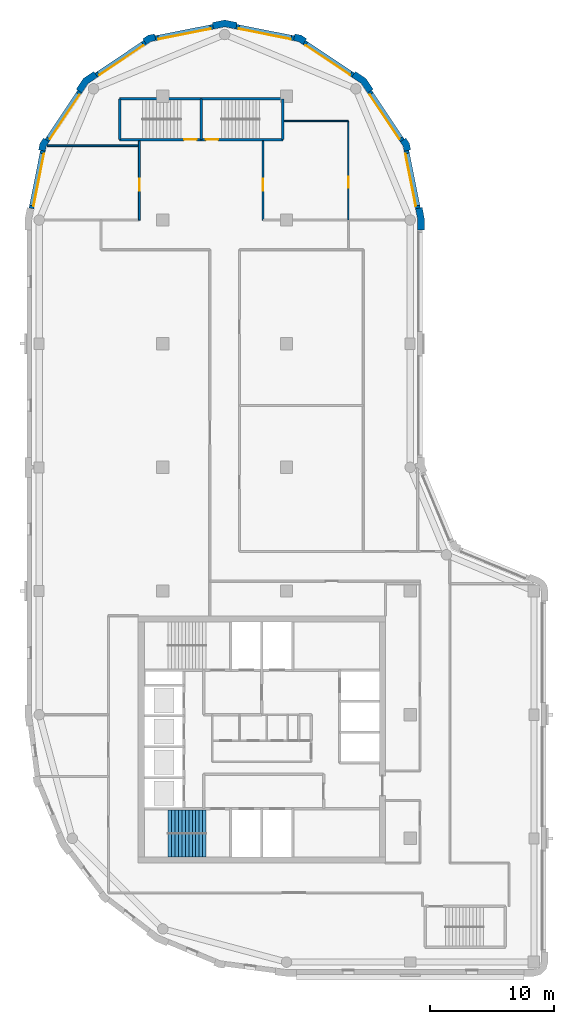
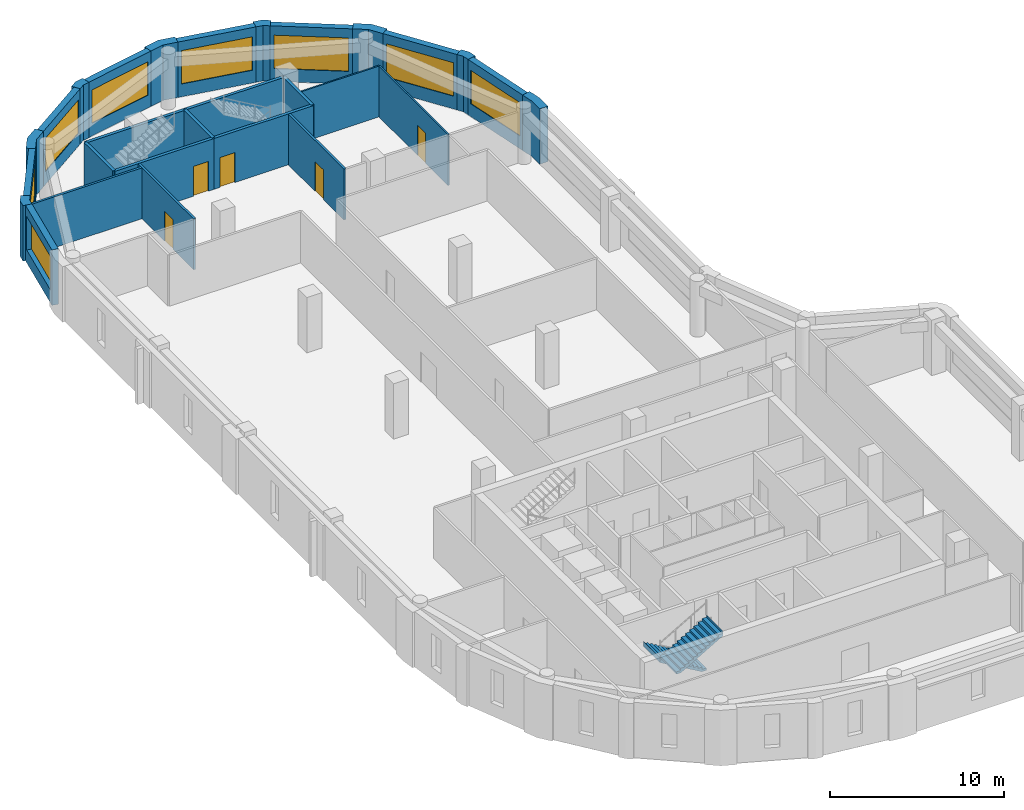
# One storey, part 5 of 8: 28 walls, 8 windows, 5 doors, 2 stair flights, 13 openings, 1 element without a shape of its own.
"""IFC4 building model written with IfcOpenShell, lengths in metres."""

from ifc_helpers import new_model, si_unit, direction, frame, frame_2d, origin, place, context, subcontext, project, spatial, polyline, rectangle, outline, extrude, material, layer, layer_set, type_object, element, fill, aggregate, save


model = new_model("IFC4")

# Units and contexts
model_context = context("Model", 3, precision=1e-05, world=origin(), true_north=direction((0.0, 1.0)))
body_context = subcontext(model_context, "Body", "Model", "MODEL_VIEW")
ifc_project = project(units=[si_unit("LENGTHUNIT", "METRE"), si_unit("AREAUNIT", "SQUARE_METRE"), si_unit("VOLUMEUNIT", "CUBIC_METRE"), si_unit("PLANEANGLEUNIT", "RADIAN"), si_unit("MASSUNIT", "GRAM", prefix="KILO")], contexts=[model_context])

# Site, building, storey
site_placement = place(None, origin())
site = spatial("IfcSite", under=ifc_project, at=site_placement, CompositionType="ELEMENT")
building_placement = place(site_placement, origin())
building = spatial("IfcBuilding", under=site, at=building_placement, Name="Qaws Garden Tower", CompositionType="ELEMENT")
storey_placement = place(building_placement, frame((0.0, 0.0, 345.0)))
storey = spatial("IfcBuildingStorey", under=building, at=storey_placement, Name="L84", CompositionType="ELEMENT", Elevation=345.0)

# Wall, opening, window
ifc_material_1 = material(Name="Clay facing brick masonry", Category="masonry")
ifc_layer_1 = layer(ifc_material_1, 0.39990234375)
ifc_layer_set_1 = layer_set([ifc_layer_1], Name="Clay facing brick masonry")
wall_type_1 = type_object("IfcWallType", Name="Brick infill wall 400", PredefinedType="SOLIDWALL", material=ifc_layer_set_1)
wall_1_placement = place(storey_placement, frame((30.628662109375, 60.940673828125, 0.0), z_axis=(0.0, 0.0, 1.0), x_axis=(-0.195098533057, 0.98078364709, 0.0)))
wall_1 = element("IfcWall", 1, at=wall_1_placement, inside=storey, type_object=wall_type_1, Name="E-L84-infill-09", PredefinedType="SOLIDWALL", context=body_context, shape_type="SweptSolid", body=[
    extrude(rectangle(XDim=4.752685546875, YDim=0.39990234375, at=frame_2d((2.37646484375, 0.0))), origin(), (0.0, 0.0, 1.0), 3.89990234375),
])
opening_1_placement = place(wall_1_placement, frame((0.226318359375, 0.0, 0.89990234375)))
opening_1 = element("IfcOpeningElement", 2, at=opening_1_placement, cuts=wall_1, Name="Opening W06", PredefinedType="OPENING", context=body_context, shape_type="SweptSolid", body=[
    extrude(rectangle(XDim=4.300048828125, YDim=2.35009765625, at=frame_2d((2.14990234375, 1.175048828125))), frame((0.0, 0.2099609375, 0.0), z_axis=(0.0, -1.0, 0.0), x_axis=(1.0, 0.0, 0.0)), (0.0, 0.0, 1.0), 0.419921875),
])
ifc_material_2 = material(Name="Aluminium framed window, clear glazing", Category="aluminium")
window_type = type_object("IfcWindowType", Name="Ribbon window 4300 x 2350", PartitioningType="DOUBLE_PANEL_VERTICAL", PredefinedType="WINDOW", material=ifc_material_2)
window_1_placement = place(opening_1_placement, origin())
window_1 = element("IfcWindow", 3, at=window_1_placement, inside=storey, type_object=window_type, Name="E-L84-window-09-0", OverallHeight=2.35009765625, OverallWidth=4.300048828125, PartitioningType="SINGLE_PANEL", PredefinedType="WINDOW", context=body_context, shape_type="SweptSolid", body=[
    extrude(rectangle(XDim=4.300048828125, YDim=2.35009765625, at=frame_2d((2.14990234375, 1.175048828125))), frame((0.0, 0.159912109375, 0.0), z_axis=(0.0, -1.0, 0.0), x_axis=(1.0, 0.0, 0.0)), (0.0, 0.0, 1.0), 0.06005859375),
])
fill(opening_1, window_1)

wall_2_placement = place(storey_placement, frame((29.356689453125, 66.43408203125, 0.0), z_axis=(0.0, 0.0, 1.0), x_axis=(-0.555541552266, 0.831488775454, 0.0)))
wall_2 = element("IfcWall", 4, at=wall_2_placement, inside=storey, type_object=wall_type_1, Name="E-L84-infill-10", PredefinedType="SOLIDWALL", context=body_context, shape_type="SweptSolid", body=[
    extrude(rectangle(XDim=4.752685546875, YDim=0.39990234375, at=frame_2d((2.37646484375, 0.0))), origin(), (0.0, 0.0, 1.0), 3.89990234375),
])
opening_2_placement = place(wall_2_placement, frame((0.226318359375, 0.0, 0.89990234375)))
opening_2 = element("IfcOpeningElement", 5, at=opening_2_placement, cuts=wall_2, Name="Opening W06", PredefinedType="OPENING", context=body_context, shape_type="SweptSolid", body=[
    extrude(rectangle(XDim=4.300048828125, YDim=2.35009765625, at=frame_2d((2.14990234375, 1.175048828125))), frame((0.0, 0.2099609375, 0.0), z_axis=(0.0, -1.0, 0.0), x_axis=(1.0, 0.0, 0.0)), (0.0, 0.0, 1.0), 0.419921875),
])
window_2_placement = place(opening_2_placement, origin())
window_2 = element("IfcWindow", 6, at=window_2_placement, inside=storey, type_object=window_type, Name="E-L84-window-10-0", OverallHeight=2.35009765625, OverallWidth=4.300048828125, PartitioningType="SINGLE_PANEL", PredefinedType="WINDOW", context=body_context, shape_type="SweptSolid", body=[
    extrude(rectangle(XDim=4.300048828125, YDim=2.35009765625, at=frame_2d((2.14990234375, 1.175048828125))), frame((0.0, 0.159912109375, 0.0), z_axis=(0.0, -1.0, 0.0), x_axis=(1.0, 0.0, 0.0)), (0.0, 0.0, 1.0), 0.06005859375),
])
fill(opening_2, window_2)

wall_3_placement = place(storey_placement, frame((25.385986328125, 71.71630859375, 0.0), z_axis=(0.0, 0.0, 1.0), x_axis=(-0.831488775454, 0.555541552266, 0.0)))
wall_3 = element("IfcWall", 7, at=wall_3_placement, inside=storey, type_object=wall_type_1, Name="E-L84-infill-11", PredefinedType="SOLIDWALL", context=body_context, shape_type="SweptSolid", body=[
    extrude(rectangle(XDim=4.752685546875, YDim=0.39990234375, at=frame_2d((2.37646484375, 0.0))), origin(), (0.0, 0.0, 1.0), 3.89990234375),
])
opening_3_placement = place(wall_3_placement, frame((0.226318359375, 0.0, 0.89990234375)))
opening_3 = element("IfcOpeningElement", 8, at=opening_3_placement, cuts=wall_3, Name="Opening W06", PredefinedType="OPENING", context=body_context, shape_type="SweptSolid", body=[
    extrude(rectangle(XDim=4.300048828125, YDim=2.35009765625, at=frame_2d((2.14990234375, 1.175048828125))), frame((0.0, 0.2099609375, 0.0), z_axis=(0.0, -1.0, 0.0), x_axis=(1.0, 0.0, 0.0)), (0.0, 0.0, 1.0), 0.419921875),
])
window_3_placement = place(opening_3_placement, origin())
window_3 = element("IfcWindow", 9, at=window_3_placement, inside=storey, type_object=window_type, Name="E-L84-window-11-0", OverallHeight=2.35009765625, OverallWidth=4.300048828125, PartitioningType="SINGLE_PANEL", PredefinedType="WINDOW", context=body_context, shape_type="SweptSolid", body=[
    extrude(rectangle(XDim=4.300048828125, YDim=2.35009765625, at=frame_2d((2.14990234375, 1.175048828125))), frame((0.0, 0.159912109375, 0.0), z_axis=(0.0, -1.0, 0.0), x_axis=(1.0, 0.0, 0.0)), (0.0, 0.0, 1.0), 0.06005859375),
])
fill(opening_3, window_3)

wall_4_placement = place(storey_placement, frame((20.60205078125, 74.701416015625, 0.0), z_axis=(0.0, 0.0, 1.0), x_axis=(-0.98078364709, 0.195098533057, 0.0)))
wall_4 = element("IfcWall", 10, at=wall_4_placement, inside=storey, type_object=wall_type_1, Name="E-L84-infill-12", PredefinedType="SOLIDWALL", context=body_context, shape_type="SweptSolid", body=[
    extrude(rectangle(XDim=4.752685546875, YDim=0.39990234375, at=frame_2d((2.37646484375, 0.0))), origin(), (0.0, 0.0, 1.0), 3.89990234375),
])
opening_4_placement = place(wall_4_placement, frame((0.226318359375, 0.0, 0.89990234375)))
opening_4 = element("IfcOpeningElement", 11, at=opening_4_placement, cuts=wall_4, Name="Opening W06", PredefinedType="OPENING", context=body_context, shape_type="SweptSolid", body=[
    extrude(rectangle(XDim=4.300048828125, YDim=2.35009765625, at=frame_2d((2.14990234375, 1.175048828125))), frame((0.0, 0.2099609375, 0.0), z_axis=(0.0, -1.0, 0.0), x_axis=(1.0, 0.0, 0.0)), (0.0, 0.0, 1.0), 0.419921875),
])
window_4_placement = place(opening_4_placement, origin())
window_4 = element("IfcWindow", 12, at=window_4_placement, inside=storey, type_object=window_type, Name="E-L84-window-12-0", OverallHeight=2.35009765625, OverallWidth=4.300048828125, PartitioningType="SINGLE_PANEL", PredefinedType="WINDOW", context=body_context, shape_type="SweptSolid", body=[
    extrude(rectangle(XDim=4.300048828125, YDim=2.35009765625, at=frame_2d((2.14990234375, 1.175048828125))), frame((0.0, 0.159912109375, 0.0), z_axis=(0.0, -1.0, 0.0), x_axis=(1.0, 0.0, 0.0)), (0.0, 0.0, 1.0), 0.06005859375),
])
fill(opening_4, window_4)

wall_5_placement = place(storey_placement, frame((14.059326171875, 75.628662109375, 0.0), z_axis=(0.0, 0.0, 1.0), x_axis=(-0.98078364709, -0.195098533057, 0.0)))
wall_5 = element("IfcWall", 13, at=wall_5_placement, inside=storey, type_object=wall_type_1, Name="E-L84-infill-13", PredefinedType="SOLIDWALL", context=body_context, shape_type="SweptSolid", body=[
    extrude(rectangle(XDim=4.752685546875, YDim=0.39990234375, at=frame_2d((2.37646484375, 0.0))), origin(), (0.0, 0.0, 1.0), 3.89990234375),
])
opening_5_placement = place(wall_5_placement, frame((0.226318359375, 0.0, 0.89990234375)))
opening_5 = element("IfcOpeningElement", 14, at=opening_5_placement, cuts=wall_5, Name="Opening W06", PredefinedType="OPENING", context=body_context, shape_type="SweptSolid", body=[
    extrude(rectangle(XDim=4.300048828125, YDim=2.35009765625, at=frame_2d((2.14990234375, 1.175048828125))), frame((0.0, 0.2099609375, 0.0), z_axis=(0.0, -1.0, 0.0), x_axis=(1.0, 0.0, 0.0)), (0.0, 0.0, 1.0), 0.419921875),
])
window_5_placement = place(opening_5_placement, origin())
window_5 = element("IfcWindow", 15, at=window_5_placement, inside=storey, type_object=window_type, Name="E-L84-window-13-0", OverallHeight=2.35009765625, OverallWidth=4.300048828125, PartitioningType="SINGLE_PANEL", PredefinedType="WINDOW", context=body_context, shape_type="SweptSolid", body=[
    extrude(rectangle(XDim=4.300048828125, YDim=2.35009765625, at=frame_2d((2.14990234375, 1.175048828125))), frame((0.0, 0.159912109375, 0.0), z_axis=(0.0, -1.0, 0.0), x_axis=(1.0, 0.0, 0.0)), (0.0, 0.0, 1.0), 0.06005859375),
])
fill(opening_5, window_5)

wall_6_placement = place(storey_placement, frame((8.56591796875, 74.356689453125, 0.0), z_axis=(0.0, 0.0, 1.0), x_axis=(-0.831488775454, -0.555541552266, 0.0)))
wall_6 = element("IfcWall", 16, at=wall_6_placement, inside=storey, type_object=wall_type_1, Name="E-L84-infill-14", PredefinedType="SOLIDWALL", context=body_context, shape_type="SweptSolid", body=[
    extrude(rectangle(XDim=4.752685546875, YDim=0.39990234375, at=frame_2d((2.37646484375, 0.0))), origin(), (0.0, 0.0, 1.0), 3.89990234375),
])
opening_6_placement = place(wall_6_placement, frame((0.226318359375, 0.0, 0.89990234375)))
opening_6 = element("IfcOpeningElement", 17, at=opening_6_placement, cuts=wall_6, Name="Opening W06", PredefinedType="OPENING", context=body_context, shape_type="SweptSolid", body=[
    extrude(rectangle(XDim=4.300048828125, YDim=2.35009765625, at=frame_2d((2.14990234375, 1.175048828125))), frame((0.0, 0.2099609375, 0.0), z_axis=(0.0, -1.0, 0.0), x_axis=(1.0, 0.0, 0.0)), (0.0, 0.0, 1.0), 0.419921875),
])
window_6_placement = place(opening_6_placement, origin())
window_6 = element("IfcWindow", 18, at=window_6_placement, inside=storey, type_object=window_type, Name="E-L84-window-14-0", OverallHeight=2.35009765625, OverallWidth=4.300048828125, PartitioningType="SINGLE_PANEL", PredefinedType="WINDOW", context=body_context, shape_type="SweptSolid", body=[
    extrude(rectangle(XDim=4.300048828125, YDim=2.35009765625, at=frame_2d((2.14990234375, 1.175048828125))), frame((0.0, 0.159912109375, 0.0), z_axis=(0.0, -1.0, 0.0), x_axis=(1.0, 0.0, 0.0)), (0.0, 0.0, 1.0), 0.06005859375),
])
fill(opening_6, window_6)

wall_7_placement = place(storey_placement, frame((3.28369140625, 70.385986328125, 0.0), z_axis=(0.0, 0.0, 1.0), x_axis=(-0.555541552266, -0.831488775454, 0.0)))
wall_7 = element("IfcWall", 19, at=wall_7_placement, inside=storey, type_object=wall_type_1, Name="E-L84-infill-15", PredefinedType="SOLIDWALL", context=body_context, shape_type="SweptSolid", body=[
    extrude(rectangle(XDim=4.752685546875, YDim=0.39990234375, at=frame_2d((2.37646484375, 0.0))), origin(), (0.0, 0.0, 1.0), 3.89990234375),
])
opening_7_placement = place(wall_7_placement, frame((0.226318359375, 0.0, 0.89990234375)))
opening_7 = element("IfcOpeningElement", 20, at=opening_7_placement, cuts=wall_7, Name="Opening W06", PredefinedType="OPENING", context=body_context, shape_type="SweptSolid", body=[
    extrude(rectangle(XDim=4.300048828125, YDim=2.35009765625, at=frame_2d((2.14990234375, 1.175048828125))), frame((0.0, 0.2099609375, 0.0), z_axis=(0.0, -1.0, 0.0), x_axis=(1.0, 0.0, 0.0)), (0.0, 0.0, 1.0), 0.419921875),
])
window_7_placement = place(opening_7_placement, origin())
window_7 = element("IfcWindow", 21, at=window_7_placement, inside=storey, type_object=window_type, Name="E-L84-window-15-0", OverallHeight=2.35009765625, OverallWidth=4.300048828125, PartitioningType="SINGLE_PANEL", PredefinedType="WINDOW", context=body_context, shape_type="SweptSolid", body=[
    extrude(rectangle(XDim=4.300048828125, YDim=2.35009765625, at=frame_2d((2.14990234375, 1.175048828125))), frame((0.0, 0.159912109375, 0.0), z_axis=(0.0, -1.0, 0.0), x_axis=(1.0, 0.0, 0.0)), (0.0, 0.0, 1.0), 0.06005859375),
])
fill(opening_7, window_7)

wall_8_placement = place(storey_placement, frame((0.298583984375, 65.60205078125, 0.0), z_axis=(0.0, 0.0, 1.0), x_axis=(-0.195098533057, -0.98078364709, 0.0)))
wall_8 = element("IfcWall", 22, at=wall_8_placement, inside=storey, type_object=wall_type_1, Name="E-L84-infill-16", PredefinedType="SOLIDWALL", context=body_context, shape_type="SweptSolid", body=[
    extrude(rectangle(XDim=4.752685546875, YDim=0.39990234375, at=frame_2d((2.37646484375, 0.0))), origin(), (0.0, 0.0, 1.0), 3.89990234375),
])
opening_8_placement = place(wall_8_placement, frame((0.226318359375, 0.0, 0.89990234375)))
opening_8 = element("IfcOpeningElement", 23, at=opening_8_placement, cuts=wall_8, Name="Opening W06", PredefinedType="OPENING", context=body_context, shape_type="SweptSolid", body=[
    extrude(rectangle(XDim=4.300048828125, YDim=2.35009765625, at=frame_2d((2.14990234375, 1.175048828125))), frame((0.0, 0.2099609375, 0.0), z_axis=(0.0, -1.0, 0.0), x_axis=(1.0, 0.0, 0.0)), (0.0, 0.0, 1.0), 0.419921875),
])
window_8_placement = place(opening_8_placement, origin())
window_8 = element("IfcWindow", 24, at=window_8_placement, inside=storey, type_object=window_type, Name="E-L84-window-16-0", OverallHeight=2.35009765625, OverallWidth=4.300048828125, PartitioningType="SINGLE_PANEL", PredefinedType="WINDOW", context=body_context, shape_type="SweptSolid", body=[
    extrude(rectangle(XDim=4.300048828125, YDim=2.35009765625, at=frame_2d((2.14990234375, 1.175048828125))), frame((0.0, 0.159912109375, 0.0), z_axis=(0.0, -1.0, 0.0), x_axis=(1.0, 0.0, 0.0)), (0.0, 0.0, 1.0), 0.06005859375),
])
fill(opening_8, window_8)

# Walls
ifc_material_3 = material(Name="Clay facing brick masonry", Category="masonry")
ifc_layer_2 = layer(ifc_material_3, 0.550048828125)
ifc_layer_set_2 = layer_set([ifc_layer_2], Name="Clay facing brick masonry")
wall_type_2 = type_object("IfcWallType", Name="Brick kink pier 550 x 600", PredefinedType="SOLIDWALL", material=ifc_layer_set_2)
placement = place(storey_placement, origin())
element("IfcWall", 25, at=placement, inside=storey, type_object=wall_type_2, Name="E-L84-pier-10", PredefinedType="SOLIDWALL", context=body_context, shape_type="SweptSolid", body=[
    extrude(outline(polyline([(29.8974609375, 65.64111328125), (30.044677734375, 65.67041015625), (29.94140625, 66.18896484375), (29.647705078125, 66.628662109375), (29.52294921875, 66.545166015625), (29.1904296875, 66.322998046875), (29.42333984375, 65.974365234375), (29.505126953125, 65.56298828125), (29.8974609375, 65.64111328125)])), origin(), (0.0, 0.0, 1.0), 3.89990234375),
])
element("IfcWall", 26, at=placement, inside=storey, type_object=wall_type_2, Name="E-L84-pier-12", PredefinedType="SOLIDWALL", context=body_context, shape_type="SweptSolid", body=[
    extrude(outline(polyline([(21.545166015625, 74.52294921875), (21.628662109375, 74.647705078125), (21.18896484375, 74.94140625), (20.67041015625, 75.044677734375), (20.64111328125, 74.8974609375), (20.56298828125, 74.505126953125), (20.974365234375, 74.42333984375), (21.322998046875, 74.1904296875), (21.545166015625, 74.52294921875)])), origin(), (0.0, 0.0, 1.0), 3.89990234375),
])
element("IfcWall", 27, at=placement, inside=storey, type_object=wall_type_2, Name="E-L84-pier-14", PredefinedType="SOLIDWALL", context=body_context, shape_type="SweptSolid", body=[
    extrude(outline(polyline([(9.35888671875, 74.8974609375), (9.32958984375, 75.044677734375), (8.81103515625, 74.94140625), (8.371337890625, 74.647705078125), (8.454833984375, 74.52294921875), (8.677001953125, 74.1904296875), (9.025634765625, 74.42333984375), (9.43701171875, 74.505126953125), (9.35888671875, 74.8974609375)])), origin(), (0.0, 0.0, 1.0), 3.89990234375),
])
element("IfcWall", 28, at=placement, inside=storey, type_object=wall_type_2, Name="E-L84-pier-16", PredefinedType="SOLIDWALL", context=body_context, shape_type="SweptSolid", body=[
    extrude(outline(polyline([(0.47705078125, 66.545166015625), (0.352294921875, 66.628662109375), (0.05859375, 66.18896484375), (-0.044677734375, 65.67041015625), (0.1025390625, 65.64111328125), (0.494873046875, 65.56298828125), (0.57666015625, 65.974365234375), (0.8095703125, 66.322998046875), (0.47705078125, 66.545166015625)])), origin(), (0.0, 0.0, 1.0), 3.89990234375),
])
ifc_material_4 = material(Name="Clay facing brick masonry", Category="masonry")
ifc_layer_3 = layer(ifc_material_4, 0.550048828125)
ifc_layer_set_3 = layer_set([ifc_layer_3], Name="Clay facing brick masonry")
wall_type_3 = type_object("IfcWallType", Name="Brick pier 550 x 1600", PredefinedType="SOLIDWALL", material=ifc_layer_set_3)
element("IfcWall", 29, at=placement, inside=storey, type_object=wall_type_3, Name="E-L84-pier-09", PredefinedType="SOLIDWALL", context=body_context, shape_type="SweptSolid", body=[
    extrude(outline(polyline([(31.0, 59.199951171875), (31.14990234375, 59.199951171875), (31.14990234375, 60.11328125), (30.971923828125, 61.009033203125), (30.82470703125, 60.979736328125), (30.432373046875, 60.901611328125), (30.60009765625, 60.05908203125), (30.60009765625, 59.199951171875), (31.0, 59.199951171875)])), origin(), (0.0, 0.0, 1.0), 3.89990234375),
])
element("IfcWall", 30, at=placement, inside=storey, type_object=wall_type_3, Name="E-L84-pier-11", PredefinedType="SOLIDWALL", context=body_context, shape_type="SweptSolid", body=[
    extrude(outline(polyline([(26.882568359375, 70.4970703125), (27.00732421875, 70.580322265625), (26.435791015625, 71.435791015625), (25.580322265625, 72.00732421875), (25.4970703125, 71.882568359375), (25.274658203125, 71.550048828125), (26.0390625, 71.0390625), (26.550048828125, 70.274658203125), (26.882568359375, 70.4970703125)])), origin(), (0.0, 0.0, 1.0), 3.89990234375),
])
element("IfcWall", 31, at=placement, inside=storey, type_object=wall_type_3, Name="E-L84-pier-13", PredefinedType="SOLIDWALL", context=body_context, shape_type="SweptSolid", body=[
    extrude(outline(polyline([(15.979736328125, 75.82470703125), (16.009033203125, 75.971923828125), (15.0, 76.172607421875), (13.990966796875, 75.971923828125), (14.020263671875, 75.82470703125), (14.098388671875, 75.432373046875), (15.0, 75.61181640625), (15.901611328125, 75.432373046875), (15.979736328125, 75.82470703125)])), origin(), (0.0, 0.0, 1.0), 3.89990234375),
])
element("IfcWall", 32, at=placement, inside=storey, type_object=wall_type_3, Name="E-L84-pier-15", PredefinedType="SOLIDWALL", context=body_context, shape_type="SweptSolid", body=[
    extrude(outline(polyline([(4.5029296875, 71.882568359375), (4.419677734375, 72.00732421875), (3.564208984375, 71.435791015625), (2.99267578125, 70.580322265625), (3.117431640625, 70.4970703125), (3.449951171875, 70.274658203125), (3.9609375, 71.0390625), (4.725341796875, 71.550048828125), (4.5029296875, 71.882568359375)])), origin(), (0.0, 0.0, 1.0), 3.89990234375),
])

# Wall, opening, door
ifc_material_5 = material(Name="Concrete C60", Category="concrete")
ifc_layer_4 = layer(ifc_material_5, 0.199951171875)
ifc_layer_set_4 = layer_set([ifc_layer_4], Name="Concrete C60")
wall_type_4 = type_object("IfcWallType", Name="Core shaft wall 200 C60", PredefinedType="SHEAR", material=ifc_layer_set_4)
wall_17_placement = place(storey_placement, frame((6.5, 66.5, 0.0), z_axis=(0.0, 0.0, 1.0), x_axis=(1.0, 0.0, 0.0)))
wall_17 = element("IfcWall", 33, at=wall_17_placement, inside=storey, type_object=wall_type_4, Name="Shaft wall", PredefinedType="SHEAR", context=body_context, shape_type="SweptSolid", body=[
    extrude(rectangle(XDim=6.60009765625, YDim=0.199951171875, at=frame_2d((3.300048828125, 0.0))), origin(), (0.0, 0.0, 1.0), 3.580078125),
])
opening_9_placement = place(wall_17_placement, frame((5.22509765625, 0.0, 0.0)))
opening_9 = element("IfcOpeningElement", 34, at=opening_9_placement, cuts=wall_17, Name="Opening SD13", PredefinedType="OPENING", context=body_context, shape_type="SweptSolid", body=[
    extrude(rectangle(XDim=1.0, YDim=2.10009765625, at=frame_2d((0.5, 1.050048828125))), frame((0.0, 0.10986328125, 0.0), z_axis=(0.0, -1.0, 0.0), x_axis=(1.0, 0.0, 0.0)), (0.0, 0.0, 1.0), 0.219970703125),
])
ifc_material_6 = material(Name="Steel S235", Category="steel")
door_type_1 = type_object("IfcDoorType", Name="Stair door 1000x2100", OperationType="SINGLE_SWING_RIGHT", PredefinedType="DOOR", material=ifc_material_6)
door_1_placement = place(opening_9_placement, origin())
door_1 = element("IfcDoor", 35, at=door_1_placement, inside=storey, type_object=door_type_1, Name="Stair 6 door", OperationType="SINGLE_SWING_RIGHT", OverallHeight=2.10009765625, OverallWidth=1.0, PredefinedType="DOOR", context=body_context, shape_type="SweptSolid", body=[
    extrude(rectangle(XDim=1.0, YDim=2.10009765625, at=frame_2d((0.5, 1.050048828125))), frame((0.0, 0.02490234375, 0.0), z_axis=(0.0, -1.0, 0.0), x_axis=(1.0, 0.0, 0.0)), (0.0, 0.0, 1.0), 0.050048828125),
])
fill(opening_9, door_1)

wall_18_placement = place(storey_placement, frame((13.10009765625, 66.5, 0.0), z_axis=(0.0, 0.0, 1.0), x_axis=(1.0, 0.0, 0.0)))
wall_18 = element("IfcWall", 36, at=wall_18_placement, inside=storey, type_object=wall_type_4, Name="Shaft wall", PredefinedType="SHEAR", context=body_context, shape_type="SweptSolid", body=[
    extrude(rectangle(XDim=6.599853515625, YDim=0.199951171875, at=frame_2d((3.2998046875, 0.0))), origin(), (0.0, 0.0, 1.0), 3.580078125),
])
opening_10_placement = place(wall_18_placement, frame((0.375, 0.0, 0.0)))
opening_10 = element("IfcOpeningElement", 37, at=opening_10_placement, cuts=wall_18, Name="Opening SD14", PredefinedType="OPENING", context=body_context, shape_type="SweptSolid", body=[
    extrude(rectangle(XDim=1.0, YDim=2.10009765625, at=frame_2d((0.5, 1.050048828125))), frame((0.0, 0.10986328125, 0.0), z_axis=(0.0, -1.0, 0.0), x_axis=(1.0, 0.0, 0.0)), (0.0, 0.0, 1.0), 0.219970703125),
])
door_2_placement = place(opening_10_placement, origin())
door_2 = element("IfcDoor", 38, at=door_2_placement, inside=storey, type_object=door_type_1, Name="Stair 7 door", OperationType="SINGLE_SWING_LEFT", OverallHeight=2.10009765625, OverallWidth=1.0, PredefinedType="DOOR", context=body_context, shape_type="SweptSolid", body=[
    extrude(rectangle(XDim=1.0, YDim=2.10009765625, at=frame_2d((0.5, 1.050048828125))), frame((0.0, 0.02490234375, 0.0), z_axis=(0.0, -1.0, 0.0), x_axis=(1.0, 0.0, 0.0)), (0.0, 0.0, 1.0), 0.050048828125),
])
fill(opening_10, door_2)

# Walls
wall_19_placement = place(storey_placement, frame((6.5, 69.800048828125, 0.0), z_axis=(0.0, 0.0, 1.0), x_axis=(1.0, 0.0, 0.0)))
element("IfcWall", 39, at=wall_19_placement, inside=storey, type_object=wall_type_4, Name="Shaft wall", PredefinedType="SHEAR", context=body_context, shape_type="SweptSolid", body=[
    extrude(rectangle(XDim=6.60009765625, YDim=0.199951171875, at=frame_2d((3.300048828125, 0.0))), origin(), (0.0, 0.0, 1.0), 3.580078125),
])
wall_20_placement = place(storey_placement, frame((13.10009765625, 69.800048828125, 0.0), z_axis=(0.0, 0.0, 1.0), x_axis=(1.0, 0.0, 0.0)))
element("IfcWall", 40, at=wall_20_placement, inside=storey, type_object=wall_type_4, Name="Shaft wall", PredefinedType="SHEAR", context=body_context, shape_type="SweptSolid", body=[
    extrude(rectangle(XDim=6.599853515625, YDim=0.199951171875, at=frame_2d((3.2998046875, 0.0))), origin(), (0.0, 0.0, 1.0), 3.580078125),
])
for number, where, z_axis, x_axis, name in (
    (41, (6.5, 66.5, 0.0), (0.0, 0.0, 1.0), (0.0, 1.0, 0.0), "Shaft wall"),
    (42, (13.10009765625, 66.5, 0.0), (0.0, 0.0, 1.0), (0.0, 1.0, 0.0), "Shaft wall"),
    (43, (19.699951171875, 66.5, 0.0), (0.0, 0.0, 1.0), (0.0, 1.0, 0.0), "Shaft wall"),
):
    element("IfcWall", number, at=place(storey_placement, frame(where, z_axis=z_axis, x_axis=x_axis)), inside=storey, type_object=wall_type_4, Name=name, PredefinedType="SHEAR", context=body_context, shape_type="SweptSolid", body=[
        extrude(rectangle(XDim=3.300048828125, YDim=0.199951171875, at=frame_2d((1.64990234375, 0.0))), origin(), (0.0, 0.0, 1.0), 3.580078125),
    ])

# Wall, opening, door
ifc_material_7 = material(Name="Gypsum board partition")
ifc_layer_5 = layer(ifc_material_7, 0.10009765625)
ifc_layer_set_5 = layer_set([ifc_layer_5], Name="Gypsum board partition")
wall_type_5 = type_object("IfcWallType", Name="PARTITION 100", PredefinedType="PARTITIONING", material=ifc_layer_set_5)
wall_21_placement = place(storey_placement, frame((25.0, 60.0, 0.0), z_axis=(0.0, 0.0, 1.0), x_axis=(0.0, 1.0, 0.0)))
wall_21 = element("IfcWall", 44, at=wall_21_placement, inside=storey, type_object=wall_type_5, Name="O-L84-wall-001", PredefinedType="PARTITIONING", context=body_context, shape_type="SweptSolid", body=[
    extrude(rectangle(XDim=8.0, YDim=0.10009765625, at=frame_2d((4.0, 0.0))), origin(), (0.0, 0.0, 1.0), 3.580078125),
])
opening_11_placement = place(wall_21_placement, frame((2.60009765625, 0.0, 0.0)))
opening_11 = element("IfcOpeningElement", 45, at=opening_11_placement, cuts=wall_21, Name="Opening C1014", PredefinedType="OPENING", context=body_context, shape_type="SweptSolid", body=[
    extrude(rectangle(XDim=0.89990234375, YDim=2.10009765625, at=frame_2d((0.449951171875, 1.050048828125))), frame((0.0, 0.06005859375, 0.0), z_axis=(0.0, -1.0, 0.0), x_axis=(1.0, 0.0, 0.0)), (0.0, 0.0, 1.0), 0.1201171875),
])
ifc_material_8 = material(Name="Timber door leaf", Category="wood")
door_type_2 = type_object("IfcDoorType", Name="OFFICE DOOR 900 X 2100", OperationType="SINGLE_SWING_LEFT", PredefinedType="DOOR", material=ifc_material_8)
door_3_placement = place(opening_11_placement, origin())
door_3 = element("IfcDoor", 46, at=door_3_placement, inside=storey, type_object=door_type_2, Name="O-L84-door-014", OperationType="SINGLE_SWING_LEFT", OverallHeight=2.10009765625, OverallWidth=0.89990234375, PredefinedType="DOOR", context=body_context, shape_type="SweptSolid", body=[
    extrude(rectangle(XDim=0.89990234375, YDim=2.10009765625, at=frame_2d((0.449951171875, 1.050048828125))), frame((0.0, 0.02490234375, 0.0), z_axis=(0.0, -1.0, 0.0), x_axis=(1.0, 0.0, 0.0)), (0.0, 0.0, 1.0), 0.050048828125),
])
fill(opening_11, door_3)

# Wall
wall_22_placement = place(storey_placement, frame((19.800048828125, 68.0, 0.0), z_axis=(0.0, 0.0, 1.0), x_axis=(1.0, 0.0, 0.0)))
element("IfcWall", 47, at=wall_22_placement, inside=storey, type_object=wall_type_5, Name="O-L84-wall-002", PredefinedType="PARTITIONING", context=body_context, shape_type="SweptSolid", body=[
    extrude(rectangle(XDim=5.199951171875, YDim=0.10009765625, at=frame_2d((2.60009765625, 0.0))), origin(), (0.0, 0.0, 1.0), 3.580078125),
])

# Wall, opening, door
ifc_material_9 = material(Name="Gypsum board partition")
ifc_layer_6 = layer(ifc_material_9, 0.14990234375)
ifc_layer_set_6 = layer_set([ifc_layer_6], Name="Gypsum board partition")
wall_type_6 = type_object("IfcWallType", Name="PARTITION 150 EI 60", PredefinedType="PARTITIONING", material=ifc_layer_set_6)
wall_23_placement = place(storey_placement, frame((8.10009765625, 60.0, 0.0), z_axis=(0.0, 0.0, 1.0), x_axis=(0.0, 1.0, 0.0)))
wall_23 = element("IfcWall", 48, at=wall_23_placement, inside=storey, type_object=wall_type_6, Name="O-L84-wall-005", PredefinedType="PARTITIONING", context=body_context, shape_type="SweptSolid", body=[
    extrude(rectangle(XDim=6.39990234375, YDim=0.14990234375, at=frame_2d((3.199951171875, 0.0))), origin(), (0.0, 0.0, 1.0), 3.580078125),
])
opening_12_placement = place(wall_23_placement, frame((2.35009765625, 0.0, 0.0)))
opening_12 = element("IfcOpeningElement", 49, at=opening_12_placement, cuts=wall_23, Name="Opening C1013", PredefinedType="OPENING", context=body_context, shape_type="SweptSolid", body=[
    extrude(rectangle(XDim=1.0, YDim=2.10009765625, at=frame_2d((0.5, 1.050048828125))), frame((0.0, 0.0849609375, 0.0), z_axis=(0.0, -1.0, 0.0), x_axis=(1.0, 0.0, 0.0)), (0.0, 0.0, 1.0), 0.169921875),
])
ifc_material_10 = material(Name="Timber door leaf", Category="wood")
door_type_3 = type_object("IfcDoorType", Name="TENANCY ENTRANCE DOOR 1000 X 2100", OperationType="SINGLE_SWING_LEFT", PredefinedType="DOOR", material=ifc_material_10)
door_4_placement = place(opening_12_placement, origin())
door_4 = element("IfcDoor", 50, at=door_4_placement, inside=storey, type_object=door_type_3, Name="O-L84-door-013", OperationType="SINGLE_SWING_LEFT", OverallHeight=2.10009765625, OverallWidth=1.0, PredefinedType="DOOR", context=body_context, shape_type="SweptSolid", body=[
    extrude(rectangle(XDim=1.0, YDim=2.10009765625, at=frame_2d((0.5, 1.050048828125))), frame((0.0, 0.02490234375, 0.0), z_axis=(0.0, -1.0, 0.0), x_axis=(1.0, 0.0, 0.0)), (0.0, 0.0, 1.0), 0.050048828125),
])
fill(opening_12, door_4)

wall_24_placement = place(storey_placement, frame((18.10009765625, 60.0, 0.0), z_axis=(0.0, 0.0, 1.0), x_axis=(0.0, 1.0, 0.0)))
wall_24 = element("IfcWall", 51, at=wall_24_placement, inside=storey, type_object=wall_type_6, Name="O-L84-wall-008", PredefinedType="PARTITIONING", context=body_context, shape_type="SweptSolid", body=[
    extrude(rectangle(XDim=6.39990234375, YDim=0.14990234375, at=frame_2d((3.199951171875, 0.0))), origin(), (0.0, 0.0, 1.0), 3.580078125),
])
opening_13_placement = place(wall_24_placement, frame((2.35009765625, 0.0, 0.0)))
opening_13 = element("IfcOpeningElement", 52, at=opening_13_placement, cuts=wall_24, Name="Opening C1003", PredefinedType="OPENING", context=body_context, shape_type="SweptSolid", body=[
    extrude(rectangle(XDim=1.0, YDim=2.10009765625, at=frame_2d((0.5, 1.050048828125))), frame((0.0, 0.0849609375, 0.0), z_axis=(0.0, -1.0, 0.0), x_axis=(1.0, 0.0, 0.0)), (0.0, 0.0, 1.0), 0.169921875),
])
door_5_placement = place(opening_13_placement, frame((1.0, 0.0, 0.0), z_axis=(0.0, 0.0, 1.0), x_axis=(-1.0, 0.0, 0.0)))
door_5 = element("IfcDoor", 53, at=door_5_placement, inside=storey, type_object=door_type_3, Name="O-L84-door-003", OperationType="SINGLE_SWING_RIGHT", OverallHeight=2.10009765625, OverallWidth=1.0, PredefinedType="DOOR", context=body_context, shape_type="SweptSolid", body=[
    extrude(rectangle(XDim=1.0, YDim=2.10009765625, at=frame_2d((0.5, 1.050048828125))), frame((0.0, 0.02490234375, 0.0), z_axis=(0.0, -1.0, 0.0), x_axis=(1.0, 0.0, 0.0)), (0.0, 0.0, 1.0), 0.050048828125),
])
fill(opening_13, door_5)

# Wall
wall_25_placement = place(storey_placement, frame((0.643798828125, 66.0, 0.0), z_axis=(0.0, 0.0, 1.0), x_axis=(1.0, 0.0, 0.0)))
element("IfcWall", 54, at=wall_25_placement, inside=storey, type_object=wall_type_6, Name="O-L84-wall-027", PredefinedType="PARTITIONING", context=body_context, shape_type="SweptSolid", body=[
    extrude(rectangle(XDim=7.456298828125, YDim=0.14990234375, at=frame_2d((3.72802734375, 0.0))), origin(), (0.0, 0.0, 1.0), 3.580078125),
])

# Stair, stair flights
ifc_material_11 = material(Name="Concrete C40", Category="concrete")
stair_type = type_object("IfcStairType", Name="Exit stair 1500", PredefinedType="HALF_TURN_STAIR", material=ifc_material_11)
stair = element("IfcStair", 55, at=placement, inside=storey, type_object=stair_type, Name="Stair 1", PredefinedType="HALF_TURN_STAIR")
ifc_material_12 = material(Name="Concrete C40", Category="concrete")
stair_flight_type = type_object("IfcStairFlightType", Name="Stair flight 1500", PredefinedType="STRAIGHT", material=ifc_material_12)
stair_flight_1_placement = place(storey_placement, frame((13.5, 11.35009765625, 0.0), z_axis=(0.0, 0.0, 1.0), x_axis=(-1.0, 0.0, 0.0)))
stair_flight_1 = element("IfcStairFlight", 56, at=stair_flight_1_placement, type_object=stair_flight_type, Name="ST1 flight 1", NumberOfRisers=12, NumberOfTreads=11, PredefinedType="STRAIGHT", RiserHeight=0.1625, TreadLength=0.28, context=body_context, shape_type="SweptSolid", body=[
    extrude(outline(polyline([(-0.0029296875, 0.0), (-0.0029296875, 0.16259765625), (0.0, 0.16259765625), (0.280029296875, 0.16259765625), (0.280029296875, 0.324951171875), (0.56005859375, 0.324951171875), (0.56005859375, 0.487548828125), (0.840087890625, 0.487548828125), (0.840087890625, 0.64990234375), (1.1201171875, 0.64990234375), (1.1201171875, 0.8125), (1.39990234375, 0.8125), (1.39990234375, 0.97509765625), (1.679931640625, 0.97509765625), (1.679931640625, 1.137451171875), (1.9599609375, 1.137451171875), (1.9599609375, 1.300048828125), (2.239990234375, 1.300048828125), (2.239990234375, 1.46240234375), (2.52001953125, 1.46240234375), (2.52001953125, 1.625), (2.800048828125, 1.625), (2.800048828125, 1.78759765625), (3.080078125, 1.78759765625), (3.080078125, 1.949951171875), (3.0830078125, 1.949951171875), (3.0830078125, 1.6142578125), (3.080078125, 1.6142578125), (0.298583984375, 0.0), (-0.0029296875, 0.0)])), frame((0.0, 0.949951171875, 0.0), z_axis=(0.0, -1.0, 0.0), x_axis=(1.0, 0.0, 0.0)), (0.0, 0.0, 1.0), 1.89990234375),
])
stair_flight_2_placement = place(storey_placement, frame((10.419921875, 9.449951171875, 1.949951171875), z_axis=(0.0, 0.0, 1.0), x_axis=(1.0, 0.0, 0.0)))
stair_flight_2 = element("IfcStairFlight", 57, at=stair_flight_2_placement, type_object=stair_flight_type, Name="ST1 flight 2", NumberOfRisers=12, NumberOfTreads=11, PredefinedType="STRAIGHT", RiserHeight=0.1625, TreadLength=0.28, context=body_context, shape_type="SweptSolid", body=[
    extrude(outline(polyline([(-0.0029296875, 0.0), (-0.0029296875, 0.16259765625), (0.0, 0.16259765625), (0.280029296875, 0.16259765625), (0.280029296875, 0.324951171875), (0.56005859375, 0.324951171875), (0.56005859375, 0.487548828125), (0.840087890625, 0.487548828125), (0.840087890625, 0.64990234375), (1.1201171875, 0.64990234375), (1.1201171875, 0.8125), (1.39990234375, 0.8125), (1.39990234375, 0.97509765625), (1.679931640625, 0.97509765625), (1.679931640625, 1.137451171875), (1.9599609375, 1.137451171875), (1.9599609375, 1.300048828125), (2.239990234375, 1.300048828125), (2.239990234375, 1.46240234375), (2.52001953125, 1.46240234375), (2.52001953125, 1.625), (2.800048828125, 1.625), (2.800048828125, 1.78759765625), (3.080078125, 1.78759765625), (3.080078125, 1.949951171875), (3.0830078125, 1.949951171875), (3.0830078125, 1.6142578125), (3.080078125, 1.6142578125), (0.298583984375, 0.0), (-0.0029296875, 0.0)])), frame((0.0, 0.949951171875, 0.0), z_axis=(0.0, -1.0, 0.0), x_axis=(1.0, 0.0, 0.0)), (0.0, 0.0, 1.0), 1.89990234375),
])
aggregate(stair, [stair_flight_1, stair_flight_2])

save(model, "model.ifc")
